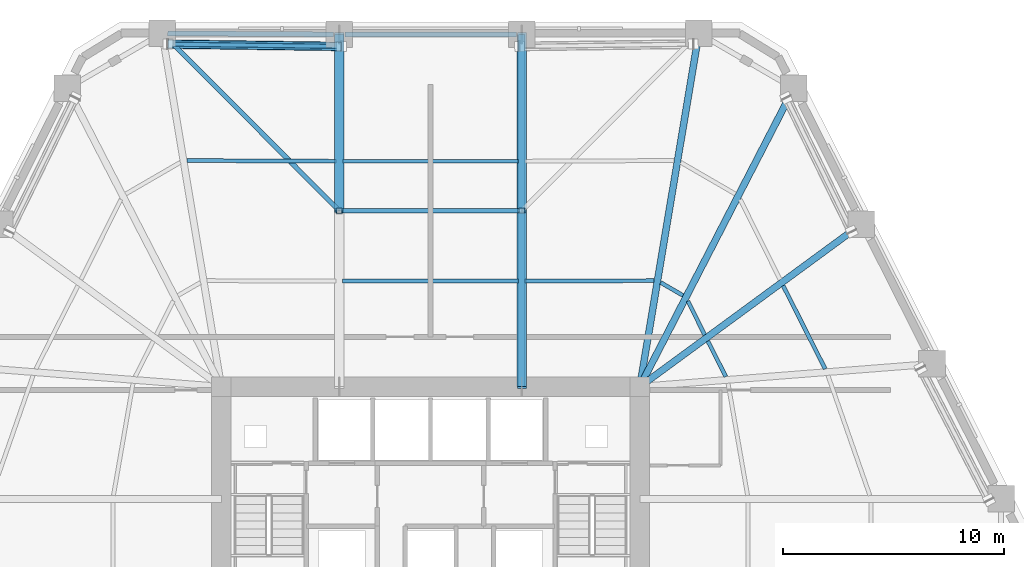
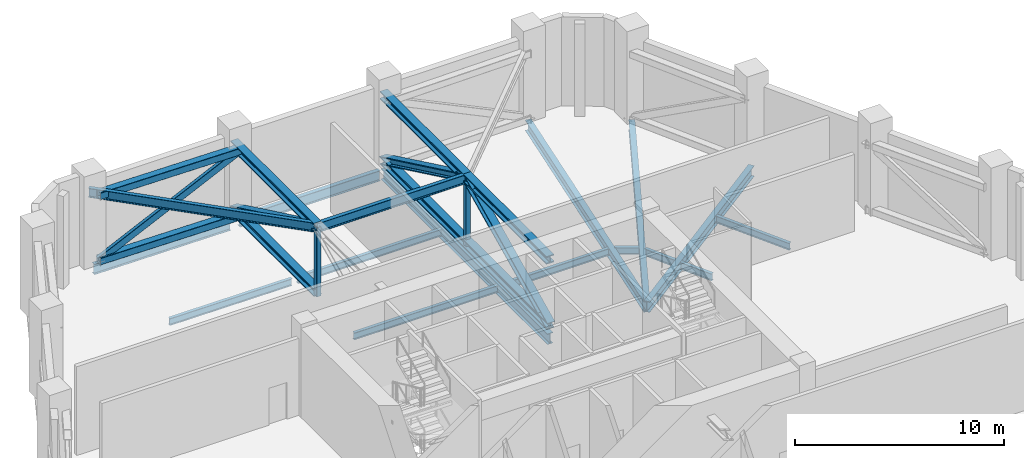
# One storey, part 5 of 19: 16 beams, 14 members.
"""IFC4 building model written with IfcOpenShell, lengths in metres."""

from ifc_helpers import new_model, si_unit, direction, frame, origin, origin_2d, place, context, subcontext, project, spatial, hollow_rectangle, i_section, extrude, material, material_profile, profile_set, type_object, element, save


model = new_model("IFC4")

# Units and contexts
model_context = context("Model", 3, precision=1e-05, world=origin(), true_north=direction((0.0, 1.0)))
body_context = subcontext(model_context, "Body", "Model", "MODEL_VIEW")
ifc_project = project(units=[si_unit("LENGTHUNIT", "METRE"), si_unit("AREAUNIT", "SQUARE_METRE"), si_unit("VOLUMEUNIT", "CUBIC_METRE"), si_unit("PLANEANGLEUNIT", "RADIAN"), si_unit("MASSUNIT", "GRAM", prefix="KILO")], contexts=[model_context])

# Site, building, storey
site_placement = place(None, origin())
site = spatial("IfcSite", under=ifc_project, at=site_placement, CompositionType="ELEMENT")
building_placement = place(site_placement, origin())
building = spatial("IfcBuilding", under=site, at=building_placement, Name="Cinnabar Lancet Tower", CompositionType="ELEMENT")
storey_placement = place(building_placement, frame((0.0, 0.0, 74.60009765625)))
storey = spatial("IfcBuildingStorey", under=building, at=storey_placement, Name="L19", CompositionType="ELEMENT", Elevation=74.60009765625)

# Beams
ifc_material_1 = material(Name="Structural steel S355", Category="steel")
ifc_material_profile_1 = material_profile(ifc_material_1, i_section(OverallWidth=0.177978515625, OverallDepth=0.406494140625, WebThickness=0.0078125, FlangeThickness=0.0126953125, FilletRadius=0.01025390625, at=origin_2d()), Name="UKB 406x178x60")
ifc_profile_set_1 = profile_set([ifc_material_profile_1], Name="Structural steel S355")
beam_type_1 = type_object("IfcBeamType", Name="STR-BM-JST-406", PredefinedType="JOIST", material=ifc_profile_set_1)
beam_1_placement = place(storey_placement, frame((50.220947265625, 34.156982421875, -0.483154296875), z_axis=(-0.450834254961, 0.89260768233, 0.0), x_axis=(-0.89260768233, -0.450834254961, 0.0)))
element("IfcBeam", 1, at=beam_1_placement, inside=storey, type_object=beam_type_1, Name="L19 Secondary Floor Joist 27", PredefinedType="JOIST", context=body_context, shape_type="SweptSolid", body=[
    extrude(i_section(OverallWidth=0.177978515625, OverallDepth=0.406494140625, WebThickness=0.0078125, FlangeThickness=0.0126953125, FilletRadius=0.01025390625, at=origin_2d()), origin(), (0.0, 0.0, 1.0), 4.203369140625),
])
beam_2_placement = place(storey_placement, frame((45.73388671875, 33.806884765625, -0.483154296875), z_axis=(-0.450629740029, 0.892710948405, 0.0), x_axis=(-0.892710948405, -0.450629740029, 0.0)))
element("IfcBeam", 2, at=beam_2_placement, inside=storey, type_object=beam_type_1, Name="L19 Secondary Floor Joist 28", PredefinedType="JOIST", context=body_context, shape_type="SweptSolid", body=[
    extrude(i_section(OverallWidth=0.177978515625, OverallDepth=0.406494140625, WebThickness=0.0078125, FlangeThickness=0.0126953125, FilletRadius=0.01025390625, at=origin_2d()), origin(), (0.0, 0.0, 1.0), 1.79931640625),
])
beam_3_placement = place(storey_placement, frame((44.782958984375, 35.69189453125, -0.483154296875), z_axis=(-0.445556802404, 0.895253671219, 0.0), x_axis=(-0.895253671219, -0.445556802404, 0.0)))
element("IfcBeam", 3, at=beam_3_placement, inside=storey, type_object=beam_type_1, Name="L19 Secondary Floor Joist 30", PredefinedType="JOIST", context=body_context, shape_type="SweptSolid", body=[
    extrude(i_section(OverallWidth=0.177978515625, OverallDepth=0.406494140625, WebThickness=0.0078125, FlangeThickness=0.0126953125, FilletRadius=0.01025390625, at=origin_2d()), origin(), (0.0, 0.0, 1.0), 1.710205078125),
])
beam_4_placement = place(storey_placement, frame((43.802978515625, 37.469970703125, -0.483154296875), z_axis=(-0.865192550274, 0.50143977799, 0.0), x_axis=(-0.50143977799, -0.865192550274, 0.0)))
element("IfcBeam", 4, at=beam_4_placement, inside=storey, type_object=beam_type_1, Name="L19 Secondary Floor Joist 32", PredefinedType="JOIST", context=body_context, shape_type="SweptSolid", body=[
    extrude(i_section(OverallWidth=0.177978515625, OverallDepth=0.406494140625, WebThickness=0.0078125, FlangeThickness=0.0126953125, FilletRadius=0.01025390625, at=origin_2d()), origin(), (0.0, 0.0, 1.0), 1.16845703125),
])
beam_5_placement = place(storey_placement, frame((42.493896484375, 38.137939453125, -0.483154296875), z_axis=(-0.999996723732, -0.002559790187, 0.0), x_axis=(0.002559790187, -0.999996723732, 0.0)))
element("IfcBeam", 5, at=beam_5_placement, inside=storey, type_object=beam_type_1, Name="L19 Secondary Floor Joist 34", PredefinedType="JOIST", context=body_context, shape_type="SweptSolid", body=[
    extrude(i_section(OverallWidth=0.177978515625, OverallDepth=0.406494140625, WebThickness=0.0078125, FlangeThickness=0.0126953125, FilletRadius=0.01025390625, at=origin_2d()), origin(), (0.0, 0.0, 1.0), 5.81787109375),
])
for number, where, z_axis, x_axis, name in (
    (6, (36.367919921875, 43.531005859375, -0.483154296875), (-1.0, 0.0, 0.0), (0.0, -1.0, 0.0), "L19 Secondary Floor Joist 35"),
    (7, (36.367919921875, 38.1220703125, -0.483154296875), (-1.0, 0.0, 0.0), (0.0, -1.0, 0.0), "L19 Secondary Floor Joist 36"),
):
    element("IfcBeam", number, at=place(storey_placement, frame(where, z_axis=z_axis, x_axis=x_axis)), inside=storey, type_object=beam_type_1, Name=name, PredefinedType="JOIST", context=body_context, shape_type="SweptSolid", body=[
        extrude(i_section(OverallWidth=0.177978515625, OverallDepth=0.406494140625, WebThickness=0.0078125, FlangeThickness=0.0126953125, FilletRadius=0.01025390625, at=origin_2d()), origin(), (0.0, 0.0, 1.0), 7.93603515625),
    ])
beam_6_placement = place(storey_placement, frame((28.1240234375, 43.531982421875, -0.483154296875), z_axis=(-0.999988691939, 0.004755627628, 0.0), x_axis=(-0.004755627628, -0.999988691939, 0.0)))
element("IfcBeam", 8, at=beam_6_placement, inside=storey, type_object=beam_type_1, Name="L19 Secondary Floor Joist 37", PredefinedType="JOIST", context=body_context, shape_type="SweptSolid", body=[
    extrude(i_section(OverallWidth=0.177978515625, OverallDepth=0.406494140625, WebThickness=0.0078125, FlangeThickness=0.0126953125, FilletRadius=0.01025390625, at=origin_2d()), origin(), (0.0, 0.0, 1.0), 6.72509765625),
])
ifc_material_2 = material(Name="Structural steel S355", Category="steel")
ifc_material_profile_2 = material_profile(ifc_material_2, i_section(OverallWidth=0.228271484375, OverallDepth=0.607666015625, WebThickness=0.010986328125, FlangeThickness=0.017333984375, FilletRadius=0.0126953125, at=origin_2d()), Name="UKB 610x229x113")
ifc_profile_set_2 = profile_set([ifc_material_profile_2], Name="Structural steel S355")
beam_type_2 = type_object("IfcBeamType", Name="STR-BM-SPN-610", PredefinedType="SPANDREL", material=ifc_profile_set_2)
beam_7_placement = place(storey_placement, frame((36.27197265625, 49.258056640625, -0.583984375), z_axis=(-1.0, 0.0, 0.0), x_axis=(0.0, -1.0, 0.0)))
element("IfcBeam", 9, at=beam_7_placement, inside=storey, type_object=beam_type_2, Name="L19 Perimeter Spandrel 14", PredefinedType="SPANDREL", context=body_context, shape_type="SweptSolid", body=[
    extrude(i_section(OverallWidth=0.228271484375, OverallDepth=0.607666015625, WebThickness=0.010986328125, FlangeThickness=0.017333984375, FilletRadius=0.0126953125, at=origin_2d()), origin(), (0.0, 0.0, 1.0), 7.743896484375),
])
beam_8_placement = place(storey_placement, frame((28.028076171875, 49.260009765625, -0.583984375), z_axis=(-0.99997856757, 0.006547090947, 0.0), x_axis=(-0.006547090947, -0.99997856757, 0.0)))
element("IfcBeam", 10, at=beam_8_placement, inside=storey, type_object=beam_type_2, Name="L19 Perimeter Spandrel 15", PredefinedType="SPANDREL", context=body_context, shape_type="SweptSolid", body=[
    extrude(i_section(OverallWidth=0.228271484375, OverallDepth=0.607666015625, WebThickness=0.010986328125, FlangeThickness=0.017333984375, FilletRadius=0.0126953125, at=origin_2d()), origin(), (0.0, 0.0, 1.0), 7.495361328125),
])
ifc_material_3 = material(Name="Structural steel S355", Category="steel")
ifc_material_profile_3 = material_profile(ifc_material_3, i_section(OverallWidth=0.209228515625, OverallDepth=0.533203125, WebThickness=0.010009765625, FlangeThickness=0.015625, FilletRadius=0.0126953125, at=origin_2d()), Name="UKB 533x210x92")
ifc_profile_set_3 = profile_set([ifc_material_profile_3], Name="Structural steel S355")
beam_type_3 = type_object("IfcBeamType", Name="STR-BM-UKB533-92", PredefinedType="BEAM", material=ifc_profile_set_3)
beam_9_placement = place(storey_placement, frame((36.52197265625, 41.303955078125, 3.98291015625), z_axis=(-1.0, 0.0, 0.0), x_axis=(0.0, -1.0, 0.0)))
element("IfcBeam", 11, at=beam_9_placement, inside=storey, type_object=beam_type_3, Name="L19 Outrigger N Tie Beam 2", PredefinedType="BEAM", context=body_context, shape_type="SweptSolid", body=[
    extrude(i_section(OverallWidth=0.209228515625, OverallDepth=0.533203125, WebThickness=0.010009765625, FlangeThickness=0.015625, FilletRadius=0.0126953125, at=origin_2d()), origin(), (0.0, 0.0, 1.0), 8.243896484375),
])
beam_10_placement = place(storey_placement, frame((28.278076171875, 41.303955078125, 3.98291015625), z_axis=(-0.70657796627, 0.707635200921, 0.0), x_axis=(-0.707635200921, -0.70657796627, 0.0)))
element("IfcBeam", 12, at=beam_10_placement, inside=storey, type_object=beam_type_3, Name="L19 Outrigger N Tie Beam 3", PredefinedType="BEAM", context=body_context, shape_type="SweptSolid", body=[
    extrude(i_section(OverallWidth=0.209228515625, OverallDepth=0.533203125, WebThickness=0.010009765625, FlangeThickness=0.015625, FilletRadius=0.0126953125, at=origin_2d()), origin(), (0.0, 0.0, 1.0), 11.315185546875),
])
ifc_material_4 = material(Name="Structural steel S355", Category="steel")
ifc_material_profile_4 = material_profile(ifc_material_4, i_section(OverallWidth=0.30712890625, OverallDepth=0.6201171875, WebThickness=0.01416015625, FlangeThickness=0.023681640625, FilletRadius=0.0166015625, at=origin_2d()), Name="UKB 610x305x179")
ifc_profile_set_4 = profile_set([ifc_material_profile_4], Name="Structural steel S355")
beam_type_4 = type_object("IfcBeamType", Name="STR-BM-UKB610-179", PredefinedType="BEAM", material=ifc_profile_set_4)
beam_11_placement = place(storey_placement, frame((51.85888671875, 40.69091796875, -0.590087890625), z_axis=(-0.80636497312, -0.591418236213, 0.0), x_axis=(0.591418236213, -0.80636497312, 0.0)))
element("IfcBeam", 13, at=beam_11_placement, inside=storey, type_object=beam_type_4, Name="L19 Corner Collector Girder 3", PredefinedType="BEAM", context=body_context, shape_type="SweptSolid", body=[
    extrude(i_section(OverallWidth=0.30712890625, OverallDepth=0.6201171875, WebThickness=0.01416015625, FlangeThickness=0.023681640625, FilletRadius=0.0166015625, at=origin_2d()), origin(), (0.0, 0.0, 1.0), 12.412353515625),
])
beam_12_placement = place(storey_placement, frame((48.802978515625, 46.826904296875, -0.590087890625), z_axis=(-0.458492410387, -0.888698323177, 0.0), x_axis=(0.888698323177, -0.458492410387, 0.0)))
element("IfcBeam", 14, at=beam_12_placement, inside=storey, type_object=beam_type_4, Name="L19 Primary Floor Girder 12", PredefinedType="BEAM", context=body_context, shape_type="SweptSolid", body=[
    extrude(i_section(OverallWidth=0.30712890625, OverallDepth=0.6201171875, WebThickness=0.01416015625, FlangeThickness=0.023681640625, FilletRadius=0.0166015625, at=origin_2d()), origin(), (0.0, 0.0, 1.0), 15.16455078125),
])
beam_13_placement = place(storey_placement, frame((44.51708984375, 49.31103515625, -0.590087890625), z_axis=(-0.164809990854, -0.986325335229, 0.0), x_axis=(0.986325335229, -0.164809990854, 0.0)))
element("IfcBeam", 15, at=beam_13_placement, inside=storey, type_object=beam_type_4, Name="L19 Primary Floor Girder 13", PredefinedType="BEAM", context=body_context, shape_type="SweptSolid", body=[
    extrude(i_section(OverallWidth=0.30712890625, OverallDepth=0.6201171875, WebThickness=0.01416015625, FlangeThickness=0.023681640625, FilletRadius=0.0166015625, at=origin_2d()), origin(), (0.0, 0.0, 1.0), 16.18212890625),
])
beam_14_placement = place(storey_placement, frame((36.52197265625, 49.258056640625, -0.590087890625), z_axis=(0.0, -1.0, 0.0), x_axis=(1.0, 0.0, 0.0)))
element("IfcBeam", 16, at=beam_14_placement, inside=storey, type_object=beam_type_4, Name="L19 Primary Floor Girder 14", PredefinedType="BEAM", context=body_context, shape_type="SweptSolid", body=[
    extrude(i_section(OverallWidth=0.30712890625, OverallDepth=0.6201171875, WebThickness=0.01416015625, FlangeThickness=0.023681640625, FilletRadius=0.0166015625, at=origin_2d()), origin(), (0.0, 0.0, 1.0), 15.907958984375),
])

# Members
ifc_material_5 = material(Name="Structural steel S460", Category="steel")
ifc_material_profile_5 = material_profile(ifc_material_5, hollow_rectangle(XDim=0.199951171875, YDim=0.39990234375, WallThickness=0.01611328125, InnerFilletRadius=0.008056640625, OuterFilletRadius=0.02392578125, at=origin_2d()), Name="RHS 400x200x16")
ifc_profile_set_5 = profile_set([ifc_material_profile_5], Name="Structural steel S460")
member_type_1 = type_object("IfcMemberType", Name="STR-MEM-BT-BRC400", PredefinedType="BRACE", material=ifc_profile_set_5)
member_1_placement = place(storey_placement, frame((28.373046875, 48.716064453125, 4.02978515625), z_axis=(-0.899318981689, 0.012157123129, -0.437124208356), x_axis=(-0.013516908606, -0.999908642418, 0.0)))
element("IfcMember", 17, at=member_1_placement, inside=storey, type_object=member_type_1, Name="L19 Belt Truss Face 4 Diagonal", PredefinedType="BRACE", context=body_context, shape_type="SweptSolid", body=[
    extrude(hollow_rectangle(XDim=0.199951171875, YDim=0.39990234375, WallThickness=0.01611328125, InnerFilletRadius=0.008056640625, OuterFilletRadius=0.02392578125, at=origin_2d()), origin(), (0.0, 0.0, 1.0), 8.715576171875),
])
ifc_material_6 = material(Name="Structural steel S460", Category="steel")
ifc_material_profile_6 = material_profile(ifc_material_6, hollow_rectangle(XDim=0.39990234375, YDim=0.39990234375, WallThickness=0.02001953125, InnerFilletRadius=0.010009765625, OuterFilletRadius=0.030029296875, at=origin_2d()), Name="SHS 400x400x20")
ifc_profile_set_6 = profile_set([ifc_material_profile_6], Name="Structural steel S460")
member_type_2 = type_object("IfcMemberType", Name="STR-MEM-BT-CHD400", PredefinedType="CHORD", material=ifc_profile_set_6)
for number, where, z_axis, x_axis, name in (
    (18, (28.373046875, 48.716064453125, 0.219970703125), (-0.999908642418, 0.013516908606, 0.0), (-0.013516908606, -0.999908642418, 0.0), "L19 Belt Truss Face 4 Chord BC"),
    (19, (28.373046875, 48.716064453125, 4.02978515625), (-0.999908642418, 0.013516908606, 0.0), (-0.013516908606, -0.999908642418, 0.0), "L19 Belt Truss Face 4 Chord TC"),
):
    element("IfcMember", number, at=place(storey_placement, frame(where, z_axis=z_axis, x_axis=x_axis)), inside=storey, type_object=member_type_2, Name=name, PredefinedType="CHORD", context=body_context, shape_type="SweptSolid", body=[
        extrude(hollow_rectangle(XDim=0.39990234375, YDim=0.39990234375, WallThickness=0.02001953125, InnerFilletRadius=0.010009765625, OuterFilletRadius=0.030029296875, at=origin_2d()), origin(), (0.0, 0.0, 1.0), 7.8388671875),
    ])
ifc_material_7 = material(Name="Structural steel S460", Category="steel")
ifc_material_profile_7 = material_profile(ifc_material_7, hollow_rectangle(XDim=0.25, YDim=0.25, WallThickness=0.012451171875, InnerFilletRadius=0.00634765625, OuterFilletRadius=0.018798828125, at=origin_2d()), Name="SHS 250x250x12.5")
ifc_profile_set_7 = profile_set([ifc_material_profile_7], Name="Structural steel S460")
member_type_3 = type_object("IfcMemberType", Name="STR-MEM-BT-PST250", PredefinedType="STRUT", material=ifc_profile_set_7)
for number, where, z_axis, x_axis, name in (
    (20, (36.52197265625, 41.303955078125, 0.0), (0.0, 0.0, 1.0), (1.0, 0.0, 0.0), "L19 Outrigger Truss 3 Web Strut"),
    (21, (28.278076171875, 41.303955078125, 0.0), (0.0, 0.0, 1.0), (1.0, 0.0, 0.0), "L19 Outrigger Truss 4 Web Strut"),
):
    element("IfcMember", number, at=place(storey_placement, frame(where, z_axis=z_axis, x_axis=x_axis)), inside=storey, type_object=member_type_3, Name=name, PredefinedType="STRUT", context=body_context, shape_type="SweptSolid", body=[
        extrude(hollow_rectangle(XDim=0.25, YDim=0.25, WallThickness=0.012451171875, InnerFilletRadius=0.00634765625, OuterFilletRadius=0.018798828125, at=origin_2d()), origin(), (0.0, 0.0, 1.0), 4.02978515625),
    ])
ifc_material_8 = material(Name="Structural steel S460", Category="steel")
ifc_material_profile_8 = material_profile(ifc_material_8, i_section(OverallWidth=0.406982421875, OverallDepth=0.4189453125, WebThickness=0.030517578125, FlangeThickness=0.04931640625, FilletRadius=0.01513671875, at=origin_2d()), Name="UKC 356x406x393")
ifc_profile_set_8 = profile_set([ifc_material_profile_8], Name="Structural steel S460")
member_type_4 = type_object("IfcMemberType", Name="STR-MEM-OT-BRC393", PredefinedType="BRACE", material=ifc_profile_set_8)
for number, where, z_axis, x_axis, name in (
    (22, (36.52197265625, 33.35009765625, 0.219970703125), (0.0, 0.901878273931, 0.431990253375), (-1.0, 0.0, 0.0), "L19 Outrigger Truss 3 Diagonal 1"),
    (23, (36.52197265625, 41.303955078125, 4.02978515625), (0.0, 0.901883439781, -0.431979468318), (-1.0, 0.0, 0.0), "L19 Outrigger Truss 3 Diagonal 2"),
    (24, (28.278076171875, 41.303955078125, 4.02978515625), (0.0, 0.901883439781, -0.431979468318), (-1.0, 0.0, 0.0), "L19 Outrigger Truss 4 Diagonal 2"),
):
    element("IfcMember", number, at=place(storey_placement, frame(where, z_axis=z_axis, x_axis=x_axis)), inside=storey, type_object=member_type_4, Name=name, PredefinedType="BRACE", context=body_context, shape_type="SweptSolid", body=[
        extrude(i_section(OverallWidth=0.406982421875, OverallDepth=0.4189453125, WebThickness=0.030517578125, FlangeThickness=0.04931640625, FilletRadius=0.01513671875, at=origin_2d()), origin(), (0.0, 0.0, 1.0), 8.8193359375),
    ])
ifc_material_9 = material(Name="Structural steel S460", Category="steel")
ifc_material_profile_9 = material_profile(ifc_material_9, i_section(OverallWidth=0.41796875, OverallDepth=0.455078125, WebThickness=0.0419921875, FlangeThickness=0.06201171875, FilletRadius=0.014892578125, at=origin_2d()), Name="HD 400x551")
ifc_profile_set_9 = profile_set([ifc_material_profile_9], Name="Structural steel S460")
member_type_5 = type_object("IfcMemberType", Name="STR-MEM-OT-CHD551", PredefinedType="CHORD", material=ifc_profile_set_9)
member_2_placement = place(storey_placement, frame((36.52197265625, 33.35009765625, 0.219970703125), z_axis=(0.0, 1.0, 0.0), x_axis=(-1.0, 0.0, 0.0)))
element("IfcMember", 25, at=member_2_placement, inside=storey, type_object=member_type_5, Name="L19 Outrigger Truss 3 Chord BC1", PredefinedType="CHORD", context=body_context, shape_type="SweptSolid", body=[
    extrude(i_section(OverallWidth=0.41796875, OverallDepth=0.455078125, WebThickness=0.0419921875, FlangeThickness=0.06201171875, FilletRadius=0.014892578125, at=origin_2d()), origin(), (0.0, 0.0, 1.0), 7.953857421875),
])
member_3_placement = place(storey_placement, frame((36.52197265625, 41.303955078125, 0.219970703125), z_axis=(0.0, 1.0, 0.0), x_axis=(-1.0, 0.0, 0.0)))
element("IfcMember", 26, at=member_3_placement, inside=storey, type_object=member_type_5, Name="L19 Outrigger Truss 3 Chord BC2", PredefinedType="CHORD", context=body_context, shape_type="SweptSolid", body=[
    extrude(i_section(OverallWidth=0.41796875, OverallDepth=0.455078125, WebThickness=0.0419921875, FlangeThickness=0.06201171875, FilletRadius=0.014892578125, at=origin_2d()), origin(), (0.0, 0.0, 1.0), 7.9541015625),
])
member_4_placement = place(storey_placement, frame((36.52197265625, 33.35009765625, 4.02978515625), z_axis=(0.0, 1.0, 0.0), x_axis=(-1.0, 0.0, 0.0)))
element("IfcMember", 27, at=member_4_placement, inside=storey, type_object=member_type_5, Name="L19 Outrigger Truss 3 Chord TC1", PredefinedType="CHORD", context=body_context, shape_type="SweptSolid", body=[
    extrude(i_section(OverallWidth=0.41796875, OverallDepth=0.455078125, WebThickness=0.0419921875, FlangeThickness=0.06201171875, FilletRadius=0.014892578125, at=origin_2d()), origin(), (0.0, 0.0, 1.0), 7.953857421875),
])
for number, where, z_axis, x_axis, name in (
    (28, (36.52197265625, 41.303955078125, 4.02978515625), (0.0, 1.0, 0.0), (-1.0, 0.0, 0.0), "L19 Outrigger Truss 3 Chord TC2"),
    (29, (28.278076171875, 41.303955078125, 0.219970703125), (0.0, 1.0, 0.0), (-1.0, 0.0, 0.0), "L19 Outrigger Truss 4 Chord BC2"),
    (30, (28.278076171875, 41.303955078125, 4.02978515625), (0.0, 1.0, 0.0), (-1.0, 0.0, 0.0), "L19 Outrigger Truss 4 Chord TC2"),
):
    element("IfcMember", number, at=place(storey_placement, frame(where, z_axis=z_axis, x_axis=x_axis)), inside=storey, type_object=member_type_5, Name=name, PredefinedType="CHORD", context=body_context, shape_type="SweptSolid", body=[
        extrude(i_section(OverallWidth=0.41796875, OverallDepth=0.455078125, WebThickness=0.0419921875, FlangeThickness=0.06201171875, FilletRadius=0.014892578125, at=origin_2d()), origin(), (0.0, 0.0, 1.0), 7.9541015625),
    ])

save(model, "model.ifc")
